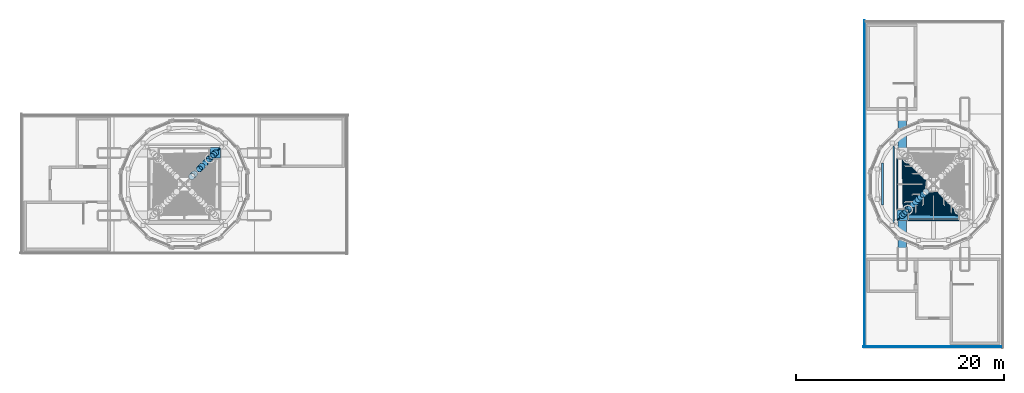
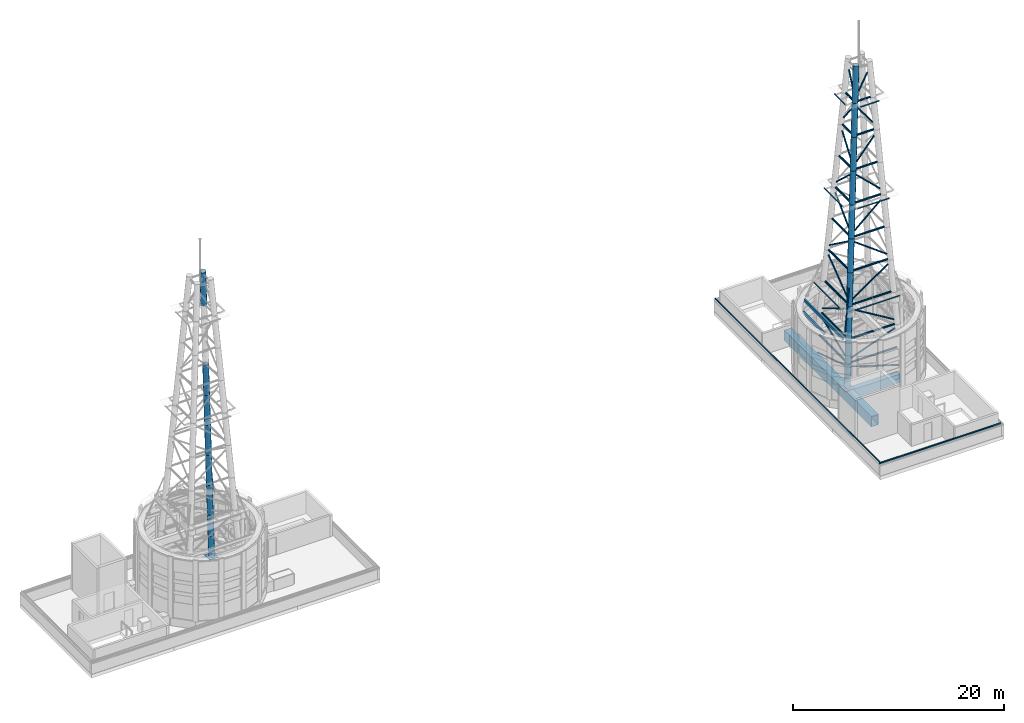
# One storey, part 5 of 36: 62 members, 10 beams.
"""IFC4 building model written with IfcOpenShell, lengths in metres."""

from ifc_helpers import new_model, si_unit, direction, frame, origin, origin_2d, place, context, subcontext, project, spatial, rectangle, hollow_rectangle, hollow_circle, extrude, material, material_profile, profile_set, type_object, element, save


model = new_model("IFC4")

# Units and contexts
model_context = context("Model", 3, precision=1e-05, world=origin(), true_north=direction((0.0, 1.0)))
body_context = subcontext(model_context, "Body", "Model", "MODEL_VIEW")
ifc_project = project(units=[si_unit("LENGTHUNIT", "METRE"), si_unit("AREAUNIT", "SQUARE_METRE"), si_unit("VOLUMEUNIT", "CUBIC_METRE"), si_unit("PLANEANGLEUNIT", "RADIAN"), si_unit("MASSUNIT", "GRAM", prefix="KILO")], contexts=[model_context])

# Site, building, storey
site_placement = place(None, origin())
site = spatial("IfcSite", under=ifc_project, at=site_placement, CompositionType="ELEMENT")
building_placement = place(site_placement, origin())
building = spatial("IfcBuilding", under=site, at=building_placement, Name="Ipe Terrace Towers", CompositionType="ELEMENT")
storey_placement = place(building_placement, frame((0.0, 0.0, 264.89990234375)))
storey = spatial("IfcBuildingStorey", under=building, at=storey_placement, Name="Roof", CompositionType="ELEMENT", Elevation=264.89990234375)

# Beams
ifc_material_1 = material(Name="Steel S355", Category="steel")
ifc_material_profile_1 = material_profile(ifc_material_1, hollow_rectangle(XDim=0.60009765625, YDim=1.0, WallThickness=0.030029296875, at=origin_2d()), Name="CROWN-CROSS BEAM BOX 600x1000x30")
ifc_profile_set_1 = profile_set([ifc_material_profile_1], Name="Steel S355")
beam_type_1 = type_object("IfcBeamType", Name="CROWN-CROSS BEAM BOX 600x1000x30", PredefinedType="BEAM", material=ifc_profile_set_1)
beam_1_placement = place(storey_placement, frame((38.60009765625, -3.0, 0.5), z_axis=(-1.0, 0.0, 0.0), x_axis=(0.0, -1.0, 0.0)))
element("IfcBeam", 1, at=beam_1_placement, inside=storey, type_object=beam_type_1, Name="T2-CX1 crown cross beam", PredefinedType="BEAM", context=body_context, shape_type="SweptSolid", body=[
    extrude(hollow_rectangle(XDim=0.60009765625, YDim=1.0, WallThickness=0.030029296875, at=origin_2d()), origin(), (0.0, 0.0, 1.0), 5.2001953125),
])
ifc_material_2 = material(Name="Steel S355", Category="steel")
ifc_material_profile_2 = material_profile(ifc_material_2, hollow_rectangle(XDim=0.14990234375, YDim=0.300048828125, WallThickness=0.010009765625, at=origin_2d()), Name="CROWN-DRUM PURLIN BOX 150x300x10")
ifc_profile_set_2 = profile_set([ifc_material_profile_2], Name="Steel S355")
beam_type_2 = type_object("IfcBeamType", Name="CROWN-DRUM PURLIN BOX 150x300x10", PredefinedType="BEAM", material=ifc_profile_set_2)
beam_2_placement = place(storey_placement, frame((32.199951171875, -3.68701171875, 7.550048828125), z_axis=(0.0, 1.0, 0.0), x_axis=(-1.0, 0.0, 0.0)))
element("IfcBeam", 2, at=beam_2_placement, inside=storey, type_object=beam_type_2, Name="T2-CR-PU1N drum roof purlin", PredefinedType="BEAM", context=body_context, shape_type="SweptSolid", body=[
    extrude(hollow_rectangle(XDim=0.14990234375, YDim=0.300048828125, WallThickness=0.010009765625, at=origin_2d()), origin(), (0.0, 0.0, 1.0), 7.3740234375),
])
beam_3_placement = place(storey_placement, frame((31.10009765625, -2.01806640625, 7.550048828125), z_axis=(0.0, 1.0, 0.0), x_axis=(-1.0, 0.0, 0.0)))
element("IfcBeam", 3, at=beam_3_placement, inside=storey, type_object=beam_type_2, Name="T2-CR-PU2N drum roof purlin", PredefinedType="BEAM", context=body_context, shape_type="SweptSolid", body=[
    extrude(hollow_rectangle(XDim=0.14990234375, YDim=0.300048828125, WallThickness=0.010009765625, at=origin_2d()), origin(), (0.0, 0.0, 1.0), 4.0361328125),
])
ifc_material_3 = material(Name="Steel S355", Category="steel")
ifc_material_profile_3 = material_profile(ifc_material_3, hollow_rectangle(XDim=0.800048828125, YDim=1.199951171875, WallThickness=0.0400390625, at=origin_2d()), Name="CROWN-GIRDER BOX 800x1200x40")
ifc_profile_set_3 = profile_set([ifc_material_profile_3], Name="Steel S355")
beam_type_3 = type_object("IfcBeamType", Name="CROWN-GIRDER BOX 800x1200x40", PredefinedType="BEAM", material=ifc_profile_set_3)
beam_4_placement = place(storey_placement, frame((33.0, -8.25, 0.60009765625), z_axis=(0.0, 1.0, 0.0), x_axis=(-1.0, 0.0, 0.0)))
element("IfcBeam", 4, at=beam_4_placement, inside=storey, type_object=beam_type_3, Name="T2-CG2 crown girder", PredefinedType="BEAM", context=body_context, shape_type="SweptSolid", body=[
    extrude(hollow_rectangle(XDim=0.800048828125, YDim=1.199951171875, WallThickness=0.0400390625, at=origin_2d()), origin(), (0.0, 0.0, 1.0), 16.5),
])

# Members
ifc_material_4 = material(Name="Steel S355", Category="steel")
member_type_1 = type_object("IfcMemberType", Name="MAST-BASE PLATE 1000x1000x50", PredefinedType="PLATE", material=ifc_material_4)
for number, where, z_axis, x_axis, name in (
    (5, (-33.0, 3.0, 1.2001953125), (0.0, 0.0, 1.0), (1.0, 0.0, 0.0), "T1-MP-NE mast base plate"),
    (6, (33.0, -3.0, 1.2001953125), (0.0, 0.0, 1.0), (1.0, 0.0, 0.0), "T2-MP-NW mast base plate"),
):
    element("IfcMember", number, at=place(storey_placement, frame(where, z_axis=z_axis, x_axis=x_axis)), inside=storey, type_object=member_type_1, Name=name, PredefinedType="PLATE", context=body_context, shape_type="SweptSolid", body=[
        extrude(rectangle(XDim=1.0, YDim=1.0, at=origin_2d()), origin(), (0.0, 0.0, 1.0), 0.050048828125),
    ])
ifc_material_5 = material(Name="Steel S355", Category="steel")
ifc_material_profile_4 = material_profile(ifc_material_5, hollow_circle(Radius=0.083984375, WallThickness=0.008056640625, at=origin_2d()), Name="MAST-BRACE CHS 168x8")
ifc_profile_set_4 = profile_set([ifc_material_profile_4], Name="Steel S355")
member_type_2 = type_object("IfcMemberType", Name="MAST-BRACE CHS 168x8", PredefinedType="BRACE", material=ifc_profile_set_4)
for number, where, z_axis, x_axis, name in (
    (7, (33.0390625, 2.653076171875, 1.84619140625), (0.018900125811, -0.95633740865, 0.291653126265), (0.999804768492, 0.019759172589, 0.0), "T2-MS-083 mast brace"),
    (8, (38.653076171875, -2.9609375, 1.84619140625), (-0.95633740865, 0.018900125811, 0.291653126265), (-0.019759172589, -0.999804768492, 0.0), "T2-MS-084 mast brace"),
):
    element("IfcMember", number, at=place(storey_placement, frame(where, z_axis=z_axis, x_axis=x_axis)), inside=storey, type_object=member_type_2, Name=name, PredefinedType="BRACE", context=body_context, shape_type="SweptSolid", body=[
        extrude(hollow_circle(Radius=0.083984375, WallThickness=0.008056640625, at=origin_2d()), origin(), (0.0, 0.0, 1.0), 5.451171875),
    ])
for number, where, z_axis, x_axis, name in (
    (9, (33.199951171875, -2.489013671875, 4.337158203125), (0.021489448759, 0.943457644837, 0.330795822209), (-0.999740697447, 0.022771426579, 0.0), "T2-MS-087 mast brace"),
    (10, (33.510986328125, -2.800048828125, 4.337158203125), (0.943457644837, 0.021489448759, 0.330795822209), (-0.022771426579, 0.999740697447, 0.0), "T2-MS-088 mast brace"),
):
    element("IfcMember", number, at=place(storey_placement, frame(where, z_axis=z_axis, x_axis=x_axis)), inside=storey, type_object=member_type_2, Name=name, PredefinedType="BRACE", context=body_context, shape_type="SweptSolid", body=[
        extrude(hollow_circle(Radius=0.083984375, WallThickness=0.008056640625, at=origin_2d()), origin(), (0.0, 0.0, 1.0), 5.169189453125),
    ])
for number, where, z_axis, x_axis, name in (
    (11, (33.375, 2.299072265625, 7.049072265625), (0.032799136464, -0.861593500924, 0.506538108944), (0.999276200493, 0.038040440683, 0.0), "T2-MS-091 mast brace"),
    (12, (38.299072265625, -2.625, 7.049072265625), (-0.861593500924, 0.032799136464, 0.506538108944), (-0.038040440683, -0.999276200493, 0.0), "T2-MS-092 mast brace"),
):
    element("IfcMember", number, at=place(storey_placement, frame(where, z_axis=z_axis, x_axis=x_axis)), inside=storey, type_object=member_type_2, Name=name, PredefinedType="BRACE", context=body_context, shape_type="SweptSolid", body=[
        extrude(hollow_circle(Radius=0.083984375, WallThickness=0.008056640625, at=origin_2d()), origin(), (0.0, 0.0, 1.0), 5.15087890625),
    ])
for number, where, z_axis, x_axis, name in (
    (13, (33.615966796875, -2.055908203125, 10.760009765625), (0.035198613688, 0.838296395107, 0.544077394811), (-0.999119656549, 0.041951303887, 0.0), "T2-MS-095 mast brace"),
    (14, (33.944091796875, -2.384033203125, 10.760009765625), (0.838296395107, 0.035198613688, 0.544077394811), (-0.041951303887, 0.999119656549, 0.0), "T2-MS-096 mast brace"),
):
    element("IfcMember", number, at=place(storey_placement, frame(where, z_axis=z_axis, x_axis=x_axis)), inside=storey, type_object=member_type_2, Name=name, PredefinedType="BRACE", context=body_context, shape_type="SweptSolid", body=[
        extrude(hollow_circle(Radius=0.083984375, WallThickness=0.008056640625, at=origin_2d()), origin(), (0.0, 0.0, 1.0), 4.716552734375),
    ])
for number, where, z_axis, x_axis, name in (
    (15, (33.85595703125, 1.81201171875, 14.47705078125), (0.038048207912, -0.809549669247, 0.58581709338), (0.998897362773, 0.046947402964, 0.0), "T2-MS-099 mast brace"),
    (16, (37.81201171875, -2.14404296875, 14.47705078125), (-0.809549669247, 0.038048207912, 0.58581709338), (-0.046947402964, -0.998897362773, 0.0), "T2-MS-100 mast brace"),
):
    element("IfcMember", number, at=place(storey_placement, frame(where, z_axis=z_axis, x_axis=x_axis)), inside=storey, type_object=member_type_2, Name=name, PredefinedType="BRACE", context=body_context, shape_type="SweptSolid", body=[
        extrude(hollow_circle(Radius=0.083984375, WallThickness=0.008056640625, at=origin_2d()), origin(), (0.0, 0.0, 1.0), 4.286376953125),
    ])
for number, where, z_axis, x_axis, name in (
    (17, (34.097900390625, -1.56689453125, 18.2021484375), (0.04098334077, 0.772991343968, 0.633091421463), (-0.998597441373, 0.052944783342, 0.0), "T2-MS-103 mast brace"),
    (18, (34.43310546875, -1.902099609375, 18.2021484375), (0.772991343968, 0.04098334077, 0.633091421463), (-0.052944783342, 0.998597441373, 0.0), "T2-MS-104 mast brace"),
):
    element("IfcMember", number, at=place(storey_placement, frame(where, z_axis=z_axis, x_axis=x_axis)), inside=storey, type_object=member_type_2, Name=name, PredefinedType="BRACE", context=body_context, shape_type="SweptSolid", body=[
        extrude(hollow_circle(Radius=0.083984375, WallThickness=0.008056640625, at=origin_2d()), origin(), (0.0, 0.0, 1.0), 3.860107421875),
    ])
for number, where, z_axis, x_axis, name in (
    (19, (34.340087890625, 1.321044921875, 21.940185546875), (0.044215908923, -0.727074463766, 0.685133328293), (0.998155975162, 0.060701311747, 0.0), "T2-MS-107 mast brace"),
    (20, (37.321044921875, -1.659912109375, 21.940185546875), (-0.727074463766, 0.044215908923, 0.685133328293), (-0.060701311747, -0.998155975162, 0.0), "T2-MS-108 mast brace"),
):
    element("IfcMember", number, at=place(storey_placement, frame(where, z_axis=z_axis, x_axis=x_axis)), inside=storey, type_object=member_type_2, Name=name, PredefinedType="BRACE", context=body_context, shape_type="SweptSolid", body=[
        extrude(hollow_circle(Radius=0.083984375, WallThickness=0.008056640625, at=origin_2d()), origin(), (0.0, 0.0, 1.0), 3.434326171875),
    ])
for number, where, z_axis, x_axis, name in (
    (21, (34.5830078125, -1.073974609375, 25.697021484375), (0.047924679705, 0.668752352567, 0.741939024456), (-0.997442068192, 0.071479511749, 0.0), "T2-MS-111 mast brace"),
    (22, (34.926025390625, -1.4169921875, 25.697021484375), (0.668752352567, 0.047924679705, 0.741939024456), (-0.071479511749, 0.997442068192, 0.0), "T2-MS-112 mast brace"),
):
    element("IfcMember", number, at=place(storey_placement, frame(where, z_axis=z_axis, x_axis=x_axis)), inside=storey, type_object=member_type_2, Name=name, PredefinedType="BRACE", context=body_context, shape_type="SweptSolid", body=[
        extrude(hollow_circle(Radius=0.083984375, WallThickness=0.008056640625, at=origin_2d()), origin(), (0.0, 0.0, 1.0), 3.005615234375),
    ])
for number, where, z_axis, x_axis, name in (
    (23, (34.827880859375, 0.823974609375, 29.488037109375), (0.052037864447, -0.594854854142, 0.802146971051), (0.996195452949, 0.087147114263, 0.0), "T2-MS-115 mast brace"),
    (24, (36.823974609375, -1.172119140625, 29.488037109375), (-0.594854854142, 0.052037864447, 0.802146971051), (-0.087147114263, -0.996195452949, 0.0), "T2-MS-116 mast brace"),
):
    element("IfcMember", number, at=place(storey_placement, frame(where, z_axis=z_axis, x_axis=x_axis)), inside=storey, type_object=member_type_2, Name=name, PredefinedType="BRACE", context=body_context, shape_type="SweptSolid", body=[
        extrude(hollow_circle(Radius=0.083984375, WallThickness=0.008056640625, at=origin_2d()), origin(), (0.0, 0.0, 1.0), 2.556884765625),
    ])
for number, where, z_axis, x_axis, name in (
    (25, (35.077880859375, -0.570068359375, 33.342041015625), (0.056120894342, 0.502115544078, 0.862977650703), (-0.993811777003, 0.111077233897, 0.0), "T2-MS-119 mast brace"),
    (26, (35.429931640625, -0.922119140625, 33.342041015625), (0.502115544078, 0.056120894342, 0.862977650703), (-0.111077233897, 0.993811777003, 0.0), "T2-MS-120 mast brace"),
):
    element("IfcMember", number, at=place(storey_placement, frame(where, z_axis=z_axis, x_axis=x_axis)), inside=storey, type_object=member_type_2, Name=name, PredefinedType="BRACE", context=body_context, shape_type="SweptSolid", body=[
        extrude(hollow_circle(Radius=0.083984375, WallThickness=0.008056640625, at=origin_2d()), origin(), (0.0, 0.0, 1.0), 2.05322265625),
    ])
ifc_material_6 = material(Name="Steel S355", Category="steel")
ifc_material_profile_5 = material_profile(ifc_material_6, hollow_circle(Radius=0.304931640625, WallThickness=0.02490234375, at=origin_2d()), Name="MAST-LEG CHS 610x25")
ifc_profile_set_5 = profile_set([ifc_material_profile_5], Name="Steel S355")
member_type_3 = type_object("IfcMemberType", Name="MAST-LEG CHS 610x25", PredefinedType="POST", material=ifc_profile_set_5)
member_1_placement = place(storey_placement, frame((-33.001953125, 2.998046875, 1.277099609375), z_axis=(-0.064386978036, -0.064386978036, 0.995845687905), x_axis=(0.707106781187, -0.707106781187, 0.0)))
element("IfcMember", 27, at=member_1_placement, inside=storey, type_object=member_type_3, Name="T1-MS-031 mast leg", PredefinedType="POST", context=body_context, shape_type="SweptSolid", body=[
    extrude(hollow_circle(Radius=0.304931640625, WallThickness=0.02490234375, at=origin_2d()), origin(), (0.0, 0.0, 1.0), 2.608642578125),
])
member_2_placement = place(storey_placement, frame((-33.169921875, 2.830078125, 3.875), z_axis=(-0.064554439306, -0.064554439306, 0.995824004898), x_axis=(0.707106781187, -0.707106781187, 0.0)))
element("IfcMember", 28, at=member_2_placement, inside=storey, type_object=member_type_3, Name="T1-MS-032 mast leg", PredefinedType="POST", context=body_context, shape_type="SweptSolid", body=[
    extrude(hollow_circle(Radius=0.304931640625, WallThickness=0.02490234375, at=origin_2d()), origin(), (0.0, 0.0, 1.0), 2.635986328125),
])
member_3_placement = place(storey_placement, frame((-33.340087890625, 2.659912109375, 6.5), z_axis=(-0.064555132618, -0.064555132618, 0.99582391501), x_axis=(0.707106781187, -0.707106781187, 0.0)))
element("IfcMember", 29, at=member_3_placement, inside=storey, type_object=member_type_3, Name="T1-MS-033 mast leg", PredefinedType="POST", context=body_context, shape_type="SweptSolid", body=[
    extrude(hollow_circle(Radius=0.304931640625, WallThickness=0.02490234375, at=origin_2d()), origin(), (0.0, 0.0, 1.0), 3.702392578125),
])
member_4_placement = place(storey_placement, frame((-33.5791015625, 2.4208984375, 10.18701171875), z_axis=(-0.064211293321, -0.064211293321, 0.995868374646), x_axis=(0.707106781187, -0.707106781187, 0.0)))
element("IfcMember", 30, at=member_4_placement, inside=storey, type_object=member_type_3, Name="T1-MS-034 mast leg", PredefinedType="POST", context=body_context, shape_type="SweptSolid", body=[
    extrude(hollow_circle(Radius=0.304931640625, WallThickness=0.02490234375, at=origin_2d()), origin(), (0.0, 0.0, 1.0), 3.703369140625),
])
member_5_placement = place(storey_placement, frame((-33.81689453125, 2.18310546875, 13.875), z_axis=(-0.064555132618, -0.064555132618, 0.99582391501), x_axis=(0.707106781187, -0.707106781187, 0.0)))
element("IfcMember", 31, at=member_5_placement, inside=storey, type_object=member_type_3, Name="T1-MS-035 mast leg", PredefinedType="POST", context=body_context, shape_type="SweptSolid", body=[
    extrude(hollow_circle(Radius=0.304931640625, WallThickness=0.02490234375, at=origin_2d()), origin(), (0.0, 0.0, 1.0), 3.702392578125),
])
member_6_placement = place(storey_placement, frame((-34.055908203125, 1.944091796875, 17.56201171875), z_axis=(-0.06453818113, -0.06453818113, 0.995826112508), x_axis=(0.707106781187, -0.707106781187, 0.0)))
element("IfcMember", 32, at=member_6_placement, inside=storey, type_object=member_type_3, Name="T1-MS-036 mast leg", PredefinedType="POST", context=body_context, shape_type="SweptSolid", body=[
    extrude(hollow_circle(Radius=0.304931640625, WallThickness=0.02490234375, at=origin_2d()), origin(), (0.0, 0.0, 1.0), 3.703369140625),
])
member_7_placement = place(storey_placement, frame((-34.294921875, 1.705078125, 21.25), z_axis=(-0.064555132618, -0.064555132618, 0.99582391501), x_axis=(0.707106781187, -0.707106781187, 0.0)))
element("IfcMember", 33, at=member_7_placement, inside=storey, type_object=member_type_3, Name="T1-MS-037 mast leg", PredefinedType="POST", context=body_context, shape_type="SweptSolid", body=[
    extrude(hollow_circle(Radius=0.304931640625, WallThickness=0.02490234375, at=origin_2d()), origin(), (0.0, 0.0, 1.0), 3.702392578125),
])
member_8_placement = place(storey_placement, frame((-35.010986328125, 0.989013671875, 32.31201171875), z_axis=(-0.064601727709, -0.064601727709, 0.995817871678), x_axis=(0.707106781187, -0.707106781187, 0.0)))
element("IfcMember", 34, at=member_8_placement, inside=storey, type_object=member_type_3, Name="T1-MS-040 mast leg", PredefinedType="POST", context=body_context, shape_type="SweptSolid", body=[
    extrude(hollow_circle(Radius=0.304931640625, WallThickness=0.02490234375, at=origin_2d()), origin(), (0.0, 0.0, 1.0), 4.054931640625),
])
member_9_placement = place(storey_placement, frame((33.001953125, -2.998046875, 1.277099609375), z_axis=(0.064386978036, 0.064386978036, 0.995845687905), x_axis=(-0.707106781187, 0.707106781187, 0.0)))
element("IfcMember", 35, at=member_9_placement, inside=storey, type_object=member_type_3, Name="T2-MS-011 mast leg", PredefinedType="POST", context=body_context, shape_type="SweptSolid", body=[
    extrude(hollow_circle(Radius=0.304931640625, WallThickness=0.02490234375, at=origin_2d()), origin(), (0.0, 0.0, 1.0), 2.608642578125),
])
member_10_placement = place(storey_placement, frame((33.169921875, -2.830078125, 3.875), z_axis=(0.064554439306, 0.064554439306, 0.995824004898), x_axis=(-0.707106781187, 0.707106781187, 0.0)))
element("IfcMember", 36, at=member_10_placement, inside=storey, type_object=member_type_3, Name="T2-MS-012 mast leg", PredefinedType="POST", context=body_context, shape_type="SweptSolid", body=[
    extrude(hollow_circle(Radius=0.304931640625, WallThickness=0.02490234375, at=origin_2d()), origin(), (0.0, 0.0, 1.0), 2.635986328125),
])
member_11_placement = place(storey_placement, frame((33.340087890625, -2.659912109375, 6.5), z_axis=(0.064555132618, 0.064555132618, 0.99582391501), x_axis=(-0.707106781187, 0.707106781187, 0.0)))
element("IfcMember", 37, at=member_11_placement, inside=storey, type_object=member_type_3, Name="T2-MS-013 mast leg", PredefinedType="POST", context=body_context, shape_type="SweptSolid", body=[
    extrude(hollow_circle(Radius=0.304931640625, WallThickness=0.02490234375, at=origin_2d()), origin(), (0.0, 0.0, 1.0), 3.702392578125),
])
member_12_placement = place(storey_placement, frame((33.5791015625, -2.4208984375, 10.18701171875), z_axis=(0.064211293321, 0.064211293321, 0.995868374646), x_axis=(-0.707106781187, 0.707106781187, 0.0)))
element("IfcMember", 38, at=member_12_placement, inside=storey, type_object=member_type_3, Name="T2-MS-014 mast leg", PredefinedType="POST", context=body_context, shape_type="SweptSolid", body=[
    extrude(hollow_circle(Radius=0.304931640625, WallThickness=0.02490234375, at=origin_2d()), origin(), (0.0, 0.0, 1.0), 3.703369140625),
])
member_13_placement = place(storey_placement, frame((33.81689453125, -2.18310546875, 13.875), z_axis=(0.064555132618, 0.064555132618, 0.99582391501), x_axis=(-0.707106781187, 0.707106781187, 0.0)))
element("IfcMember", 39, at=member_13_placement, inside=storey, type_object=member_type_3, Name="T2-MS-015 mast leg", PredefinedType="POST", context=body_context, shape_type="SweptSolid", body=[
    extrude(hollow_circle(Radius=0.304931640625, WallThickness=0.02490234375, at=origin_2d()), origin(), (0.0, 0.0, 1.0), 3.702392578125),
])
member_14_placement = place(storey_placement, frame((34.055908203125, -1.944091796875, 17.56201171875), z_axis=(0.06453818113, 0.06453818113, 0.995826112508), x_axis=(-0.707106781187, 0.707106781187, 0.0)))
element("IfcMember", 40, at=member_14_placement, inside=storey, type_object=member_type_3, Name="T2-MS-016 mast leg", PredefinedType="POST", context=body_context, shape_type="SweptSolid", body=[
    extrude(hollow_circle(Radius=0.304931640625, WallThickness=0.02490234375, at=origin_2d()), origin(), (0.0, 0.0, 1.0), 3.703369140625),
])
member_15_placement = place(storey_placement, frame((34.294921875, -1.705078125, 21.25), z_axis=(0.064555132618, 0.064555132618, 0.99582391501), x_axis=(-0.707106781187, 0.707106781187, 0.0)))
element("IfcMember", 41, at=member_15_placement, inside=storey, type_object=member_type_3, Name="T2-MS-017 mast leg", PredefinedType="POST", context=body_context, shape_type="SweptSolid", body=[
    extrude(hollow_circle(Radius=0.304931640625, WallThickness=0.02490234375, at=origin_2d()), origin(), (0.0, 0.0, 1.0), 3.702392578125),
])
member_16_placement = place(storey_placement, frame((34.533935546875, -1.466064453125, 24.93701171875), z_axis=(0.06427667421, 0.06427667421, 0.9958599391), x_axis=(-0.707106781187, 0.707106781187, 0.0)))
element("IfcMember", 42, at=member_16_placement, inside=storey, type_object=member_type_3, Name="T2-MS-018 mast leg", PredefinedType="POST", context=body_context, shape_type="SweptSolid", body=[
    extrude(hollow_circle(Radius=0.304931640625, WallThickness=0.02490234375, at=origin_2d()), origin(), (0.0, 0.0, 1.0), 3.703369140625),
])
member_17_placement = place(storey_placement, frame((34.77197265625, -1.22802734375, 28.625), z_axis=(0.064555132618, 0.064555132618, 0.99582391501), x_axis=(-0.707106781187, 0.707106781187, 0.0)))
element("IfcMember", 43, at=member_17_placement, inside=storey, type_object=member_type_3, Name="T2-MS-019 mast leg", PredefinedType="POST", context=body_context, shape_type="SweptSolid", body=[
    extrude(hollow_circle(Radius=0.304931640625, WallThickness=0.02490234375, at=origin_2d()), origin(), (0.0, 0.0, 1.0), 3.702392578125),
])
member_18_placement = place(storey_placement, frame((35.010986328125, -0.989013671875, 32.31201171875), z_axis=(0.064601727709, 0.064601727709, 0.995817871678), x_axis=(-0.707106781187, 0.707106781187, 0.0)))
element("IfcMember", 44, at=member_18_placement, inside=storey, type_object=member_type_3, Name="T2-MS-020 mast leg", PredefinedType="POST", context=body_context, shape_type="SweptSolid", body=[
    extrude(hollow_circle(Radius=0.304931640625, WallThickness=0.02490234375, at=origin_2d()), origin(), (0.0, 0.0, 1.0), 4.054931640625),
])

# Beams
ifc_material_7 = material(Name="Steel S355", Category="steel")
ifc_material_profile_6 = material_profile(ifc_material_7, hollow_rectangle(XDim=0.10009765625, YDim=0.10009765625, WallThickness=0.006103515625, at=origin_2d()), Name="MAST-PLATFORM EDGE BEAM BOX 100x100x6")
ifc_profile_set_6 = profile_set([ifc_material_profile_6], Name="Steel S355")
beam_type_4 = type_object("IfcBeamType", Name="MAST-PLATFORM EDGE BEAM BOX 100x100x6", PredefinedType="BEAM", material=ifc_profile_set_6)
for number, where, z_axis, x_axis, name in (
    (45, (32.529052734375, -2.470947265625, 10.2470703125), (0.0, 1.0, 0.0), (-1.0, 0.0, 0.0), "T2-MS-130 mast platform edge beam"),
    (46, (38.470947265625, -3.470947265625, 10.2470703125), (-1.0, 0.0, 0.0), (0.0, -1.0, 0.0), "T2-MS-131 mast platform edge beam"),
):
    element("IfcBeam", number, at=place(storey_placement, frame(where, z_axis=z_axis, x_axis=x_axis)), inside=storey, type_object=beam_type_4, Name=name, PredefinedType="BEAM", context=body_context, shape_type="SweptSolid", body=[
        extrude(hollow_rectangle(XDim=0.10009765625, YDim=0.10009765625, WallThickness=0.006103515625, at=origin_2d()), origin(), (0.0, 0.0, 1.0), 4.94189453125),
    ])
for number, where, z_axis, x_axis, name in (
    (47, (33.2451171875, -1.7548828125, 21.31005859375), (0.0, 1.0, 0.0), (-1.0, 0.0, 0.0), "T2-MS-146 mast platform edge beam"),
    (48, (37.7548828125, -2.7548828125, 21.31005859375), (-1.0, 0.0, 0.0), (0.0, -1.0, 0.0), "T2-MS-147 mast platform edge beam"),
):
    element("IfcBeam", number, at=place(storey_placement, frame(where, z_axis=z_axis, x_axis=x_axis)), inside=storey, type_object=beam_type_4, Name=name, PredefinedType="BEAM", context=body_context, shape_type="SweptSolid", body=[
        extrude(hollow_rectangle(XDim=0.10009765625, YDim=0.10009765625, WallThickness=0.006103515625, at=origin_2d()), origin(), (0.0, 0.0, 1.0), 3.509765625),
    ])
for number, where, z_axis, x_axis, name in (
    (49, (33.9609375, -1.0390625, 32.3720703125), (0.0, 1.0, 0.0), (-1.0, 0.0, 0.0), "T2-MS-162 mast platform edge beam"),
    (50, (37.0390625, -2.0390625, 32.3720703125), (-1.0, 0.0, 0.0), (0.0, -1.0, 0.0), "T2-MS-163 mast platform edge beam"),
):
    element("IfcBeam", number, at=place(storey_placement, frame(where, z_axis=z_axis, x_axis=x_axis)), inside=storey, type_object=beam_type_4, Name=name, PredefinedType="BEAM", context=body_context, shape_type="SweptSolid", body=[
        extrude(hollow_rectangle(XDim=0.10009765625, YDim=0.10009765625, WallThickness=0.006103515625, at=origin_2d()), origin(), (0.0, 0.0, 1.0), 2.078125),
    ])

# Members
ifc_material_8 = material(Name="Steel S355", Category="steel")
ifc_material_profile_7 = material_profile(ifc_material_8, hollow_circle(Radius=0.109619140625, WallThickness=0.010009765625, at=origin_2d()), Name="MAST-RING CHS 219x10")
ifc_profile_set_7 = profile_set([ifc_material_profile_7], Name="Steel S355")
member_type_4 = type_object("IfcMemberType", Name="MAST-RING CHS 219x10", PredefinedType="STRUT", material=ifc_profile_set_7)
for number, where, z_axis, x_axis, name in (
    (51, (33.169921875, 2.51806640625, 3.875), (0.0, -1.0, 0.0), (1.0, 0.0, 0.0), "T2-MS-043 mast ring"),
    (52, (33.48193359375, -2.830078125, 3.875), (1.0, 0.0, 0.0), (0.0, 1.0, 0.0), "T2-MS-044 mast ring"),
):
    element("IfcMember", number, at=place(storey_placement, frame(where, z_axis=z_axis, x_axis=x_axis)), inside=storey, type_object=member_type_4, Name=name, PredefinedType="STRUT", context=body_context, shape_type="SweptSolid", body=[
        extrude(hollow_circle(Radius=0.109619140625, WallThickness=0.010009765625, at=origin_2d()), origin(), (0.0, 0.0, 1.0), 5.0361328125),
    ])
for number, where, z_axis, x_axis, name in (
    (53, (33.340087890625, 2.347900390625, 6.5), (0.0, -1.0, 0.0), (1.0, 0.0, 0.0), "T2-MS-047 mast ring"),
    (54, (33.652099609375, -2.659912109375, 6.5), (1.0, 0.0, 0.0), (0.0, 1.0, 0.0), "T2-MS-048 mast ring"),
):
    element("IfcMember", number, at=place(storey_placement, frame(where, z_axis=z_axis, x_axis=x_axis)), inside=storey, type_object=member_type_4, Name=name, PredefinedType="STRUT", context=body_context, shape_type="SweptSolid", body=[
        extrude(hollow_circle(Radius=0.109619140625, WallThickness=0.010009765625, at=origin_2d()), origin(), (0.0, 0.0, 1.0), 4.69580078125),
    ])
for number, where, z_axis, x_axis, name in (
    (55, (33.5791015625, 2.10888671875, 10.18701171875), (0.0, -1.0, 0.0), (1.0, 0.0, 0.0), "T2-MS-051 mast ring"),
    (56, (33.89111328125, -2.4208984375, 10.18701171875), (1.0, 0.0, 0.0), (0.0, 1.0, 0.0), "T2-MS-052 mast ring"),
):
    element("IfcMember", number, at=place(storey_placement, frame(where, z_axis=z_axis, x_axis=x_axis)), inside=storey, type_object=member_type_4, Name=name, PredefinedType="STRUT", context=body_context, shape_type="SweptSolid", body=[
        extrude(hollow_circle(Radius=0.109619140625, WallThickness=0.010009765625, at=origin_2d()), origin(), (0.0, 0.0, 1.0), 4.2177734375),
    ])
for number, where, z_axis, x_axis, name in (
    (57, (33.81689453125, 1.8701171875, 13.875), (0.0, -1.0, 0.0), (1.0, 0.0, 0.0), "T2-MS-055 mast ring"),
    (58, (34.1298828125, -2.18310546875, 13.875), (1.0, 0.0, 0.0), (0.0, 1.0, 0.0), "T2-MS-056 mast ring"),
):
    element("IfcMember", number, at=place(storey_placement, frame(where, z_axis=z_axis, x_axis=x_axis)), inside=storey, type_object=member_type_4, Name=name, PredefinedType="STRUT", context=body_context, shape_type="SweptSolid", body=[
        extrude(hollow_circle(Radius=0.109619140625, WallThickness=0.010009765625, at=origin_2d()), origin(), (0.0, 0.0, 1.0), 3.740234375),
    ])
for number, where, z_axis, x_axis, name in (
    (59, (34.055908203125, 1.632080078125, 17.56201171875), (0.0, -1.0, 0.0), (1.0, 0.0, 0.0), "T2-MS-059 mast ring"),
    (60, (34.367919921875, -1.944091796875, 17.56201171875), (1.0, 0.0, 0.0), (0.0, 1.0, 0.0), "T2-MS-060 mast ring"),
):
    element("IfcMember", number, at=place(storey_placement, frame(where, z_axis=z_axis, x_axis=x_axis)), inside=storey, type_object=member_type_4, Name=name, PredefinedType="STRUT", context=body_context, shape_type="SweptSolid", body=[
        extrude(hollow_circle(Radius=0.109619140625, WallThickness=0.010009765625, at=origin_2d()), origin(), (0.0, 0.0, 1.0), 3.26416015625),
    ])
for number, where, z_axis, x_axis, name in (
    (61, (34.294921875, 1.39306640625, 21.25), (0.0, -1.0, 0.0), (1.0, 0.0, 0.0), "T2-MS-063 mast ring"),
    (62, (34.60693359375, -1.705078125, 21.25), (1.0, 0.0, 0.0), (0.0, 1.0, 0.0), "T2-MS-064 mast ring"),
):
    element("IfcMember", number, at=place(storey_placement, frame(where, z_axis=z_axis, x_axis=x_axis)), inside=storey, type_object=member_type_4, Name=name, PredefinedType="STRUT", context=body_context, shape_type="SweptSolid", body=[
        extrude(hollow_circle(Radius=0.109619140625, WallThickness=0.010009765625, at=origin_2d()), origin(), (0.0, 0.0, 1.0), 2.7861328125),
    ])
for number, where, z_axis, x_axis, name in (
    (63, (34.533935546875, 1.154052734375, 24.93701171875), (0.0, -1.0, 0.0), (1.0, 0.0, 0.0), "T2-MS-067 mast ring"),
    (64, (34.845947265625, -1.466064453125, 24.93701171875), (1.0, 0.0, 0.0), (0.0, 1.0, 0.0), "T2-MS-068 mast ring"),
):
    element("IfcMember", number, at=place(storey_placement, frame(where, z_axis=z_axis, x_axis=x_axis)), inside=storey, type_object=member_type_4, Name=name, PredefinedType="STRUT", context=body_context, shape_type="SweptSolid", body=[
        extrude(hollow_circle(Radius=0.109619140625, WallThickness=0.010009765625, at=origin_2d()), origin(), (0.0, 0.0, 1.0), 2.30810546875),
    ])
for number, where, z_axis, x_axis, name in (
    (65, (34.77197265625, 0.9150390625, 28.625), (0.0, -1.0, 0.0), (1.0, 0.0, 0.0), "T2-MS-071 mast ring"),
    (66, (35.0849609375, -1.22802734375, 28.625), (1.0, 0.0, 0.0), (0.0, 1.0, 0.0), "T2-MS-072 mast ring"),
):
    element("IfcMember", number, at=place(storey_placement, frame(where, z_axis=z_axis, x_axis=x_axis)), inside=storey, type_object=member_type_4, Name=name, PredefinedType="STRUT", context=body_context, shape_type="SweptSolid", body=[
        extrude(hollow_circle(Radius=0.109619140625, WallThickness=0.010009765625, at=origin_2d()), origin(), (0.0, 0.0, 1.0), 1.830078125),
    ])
for number, where, z_axis, x_axis, name in (
    (67, (35.010986328125, 0.677001953125, 32.31201171875), (0.0, -1.0, 0.0), (1.0, 0.0, 0.0), "T2-MS-075 mast ring"),
    (68, (35.322998046875, -0.989013671875, 32.31201171875), (1.0, 0.0, 0.0), (0.0, 1.0, 0.0), "T2-MS-076 mast ring"),
):
    element("IfcMember", number, at=place(storey_placement, frame(where, z_axis=z_axis, x_axis=x_axis)), inside=storey, type_object=member_type_4, Name=name, PredefinedType="STRUT", context=body_context, shape_type="SweptSolid", body=[
        extrude(hollow_circle(Radius=0.109619140625, WallThickness=0.010009765625, at=origin_2d()), origin(), (0.0, 0.0, 1.0), 1.35400390625),
    ])
ifc_material_9 = material(Name="Steel S355", Category="steel")
ifc_material_profile_8 = material_profile(ifc_material_9, hollow_circle(Radius=0.070068359375, WallThickness=0.008056640625, at=origin_2d()), Name="MAST-STAY CHS 140x8")
ifc_profile_set_8 = profile_set([ifc_material_profile_8], Name="Steel S355")
member_type_5 = type_object("IfcMemberType", Name="MAST-STAY CHS 140x8", PredefinedType="BRACE", material=ifc_profile_set_8)
for number, where, z_axis, x_axis, name in (
    (69, (-32.4140625, 3.5859375, 8.132080078125), (-0.231014213208, -0.231014213208, 0.945126905019), (0.707106781187, -0.707106781187, 0.0), "T1-MS-S4 mast stay"),
    (70, (32.4140625, -3.5859375, 8.132080078125), (0.231014213208, 0.231014213208, 0.945126905019), (-0.707106781187, 0.707106781187, 0.0), "T2-MS-S2 mast stay"),
):
    element("IfcMember", number, at=place(storey_placement, frame(where, z_axis=z_axis, x_axis=x_axis)), inside=storey, type_object=member_type_5, Name=name, PredefinedType="BRACE", context=body_context, shape_type="SweptSolid", body=[
        extrude(hollow_circle(Radius=0.070068359375, WallThickness=0.008056640625, at=origin_2d()), origin(), (0.0, 0.0, 1.0), 4.51904296875),
    ])
ifc_material_10 = material(Name="Stainless steel S316", Category="steel")
ifc_material_profile_9 = material_profile(ifc_material_10, rectangle(XDim=0.06005859375, YDim=0.14990234375, at=origin_2d()), Name="SNOW GUARD BAR")
ifc_profile_set_9 = profile_set([ifc_material_profile_9], Name="Stainless steel S316")
member_type_6 = type_object("IfcMemberType", Name="SNOW GUARD BAR", PredefinedType="USERDEFINED", material=ifc_profile_set_9)
member_19_placement = place(storey_placement, frame((29.25, -15.625, 1.43505859375), z_axis=(1.0, 0.0, 0.0), x_axis=(0.0, 1.0, 0.0)))
element("IfcMember", 71, at=member_19_placement, inside=storey, type_object=member_type_6, Name="snow guard bar", ObjectType="SNOW GUARD", PredefinedType="USERDEFINED", context=body_context, shape_type="SweptSolid", body=[
    extrude(rectangle(XDim=0.06005859375, YDim=0.14990234375, at=origin_2d()), origin(), (0.0, 0.0, 1.0), 13.25),
])
member_20_placement = place(storey_placement, frame((29.375, 15.75, 1.43505859375), z_axis=(0.0, -1.0, 0.0), x_axis=(1.0, 0.0, 0.0)))
element("IfcMember", 72, at=member_20_placement, inside=storey, type_object=member_type_6, Name="snow guard bar", ObjectType="SNOW GUARD", PredefinedType="USERDEFINED", context=body_context, shape_type="SweptSolid", body=[
    extrude(rectangle(XDim=0.06005859375, YDim=0.14990234375, at=origin_2d()), origin(), (0.0, 0.0, 1.0), 31.25),
])

save(model, "model.ifc")
